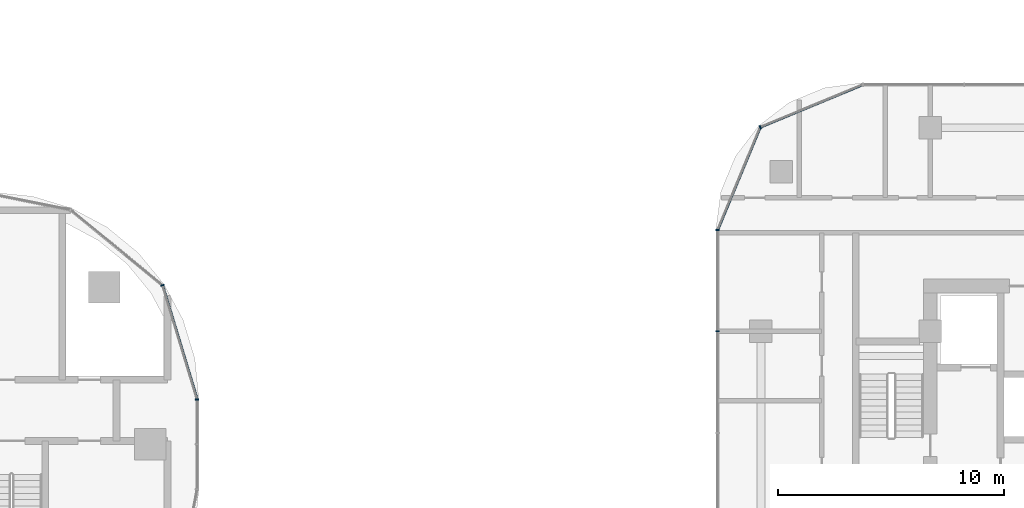
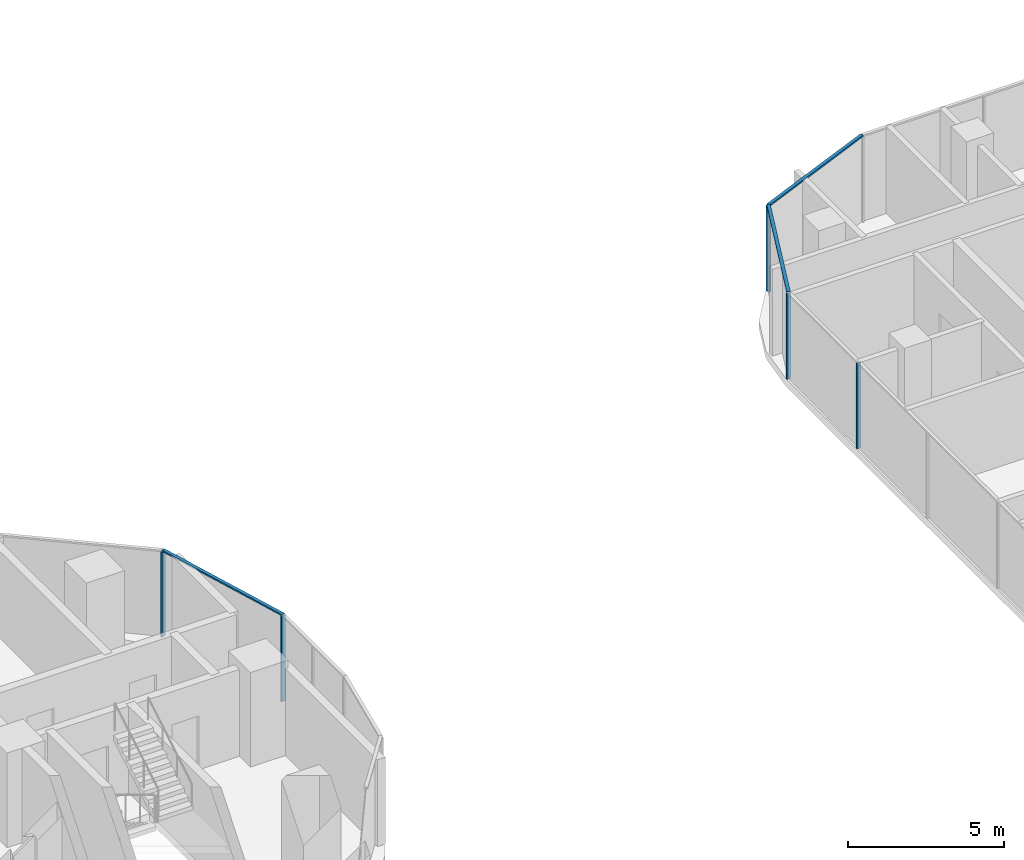
# One storey, part 9 of 32: 8 members, 4 elements without a shape of their own.
"""IFC4 building model written with IfcOpenShell, lengths in metres."""

from ifc_helpers import new_model, si_unit, direction, frame, origin, origin_2d, place, context, subcontext, project, spatial, rectangle, extrude, material, material_profile, profile_set, type_object, element, aggregate, save


model = new_model("IFC4")

# Units and contexts
model_context = context("Model", 3, precision=1e-05, world=origin(), true_north=direction((0.0, 1.0)))
body_context = subcontext(model_context, "Body", "Model", "MODEL_VIEW")
ifc_project = project(units=[si_unit("LENGTHUNIT", "METRE"), si_unit("AREAUNIT", "SQUARE_METRE"), si_unit("VOLUMEUNIT", "CUBIC_METRE"), si_unit("PLANEANGLEUNIT", "RADIAN"), si_unit("MASSUNIT", "GRAM", prefix="KILO")], contexts=[model_context])

# Site, building, storey
site_placement = place(None, origin())
site = spatial("IfcSite", under=ifc_project, at=site_placement, CompositionType="ELEMENT")
building_placement = place(site_placement, origin())
building = spatial("IfcBuilding", under=site, at=building_placement, Name="Ogive Portal Towers", CompositionType="ELEMENT")
storey_placement = place(building_placement, frame((0.0, 0.0, 55.699951171875)))
storey = spatial("IfcBuildingStorey", under=building, at=storey_placement, Name="L12", CompositionType="ELEMENT", Elevation=55.699951171875)

# Curtain wall, member
ifc_material_1 = material(Name="Glass, clear low-iron insulated glazing", Category="glass")
curtain_wall_type_1 = type_object("IfcCurtainWallType", Name="CW FRONT RIBBON 4500", PredefinedType="NOTDEFINED", material=ifc_material_1)
curtain_wall_1_placement = place(storey_placement, origin())
curtain_wall_1 = element("IfcCurtainWall", 1, at=curtain_wall_1_placement, inside=storey, type_object=curtain_wall_type_1, Name="A:L12:f12:cw0", PredefinedType="NOTDEFINED")
ifc_material_2 = material(Name="Aluminium 6063 anodised", Category="aluminium")
ifc_material_profile_1 = material_profile(ifc_material_2, rectangle(XDim=0.159912109375, YDim=0.06005859375, at=origin_2d()), Name="AL 60x160")
ifc_profile_set_1 = profile_set([ifc_material_profile_1], Name="Aluminium 6063 anodised")
member_type_1 = type_object("IfcMemberType", Name="CW MULLION 60x160", PredefinedType="MULLION", material=ifc_profile_set_1)
member_1_placement = place(storey_placement, frame((96.56494140625, 32.488037109375, 0.0), z_axis=(0.0, 0.0, 1.0), x_axis=(-1.0, 0.0, 0.0)))
member_1 = element("IfcMember", 2, at=member_1_placement, type_object=member_type_1, Name="mullion", PredefinedType="MULLION", context=body_context, shape_type="SweptSolid", body=[
    extrude(rectangle(XDim=0.159912109375, YDim=0.06005859375, at=origin_2d()), origin(), (0.0, 0.0, 1.0), 3.340087890625),
])
aggregate(curtain_wall_1, [member_1])

curtain_wall_2_placement = place(storey_placement, origin())
curtain_wall_2 = element("IfcCurtainWall", 3, at=curtain_wall_2_placement, inside=storey, type_object=curtain_wall_type_1, Name="A:L12:f13:cwa", PredefinedType="NOTDEFINED")
member_2_placement = place(storey_placement, frame((95.0341796875, 37.5341796875, 0.0), z_axis=(0.0, 0.0, 1.0), x_axis=(-0.956940335732, -0.290284677254, 0.0)))
member_2 = element("IfcMember", 4, at=member_2_placement, type_object=member_type_1, Name="mullion", PredefinedType="MULLION", context=body_context, shape_type="SweptSolid", body=[
    extrude(rectangle(XDim=0.159912109375, YDim=0.06005859375, at=origin_2d()), origin(), (0.0, 0.0, 1.0), 3.340087890625),
])

# Curtain wall, members
curtain_wall_type_2 = type_object("IfcCurtainWallType", Name="CW RESIDENCES RIBBON", PredefinedType="NOTDEFINED", material=ifc_material_1)
curtain_wall_3_placement = place(storey_placement, origin())
curtain_wall_3 = element("IfcCurtainWall", 5, at=curtain_wall_3_placement, inside=storey, type_object=curtain_wall_type_2, Name="B:L12:f11:cw0", PredefinedType="NOTDEFINED")
member_3_placement = place(storey_placement, frame((119.590087890625, 39.984130859375, 0.0), z_axis=(0.0, 0.0, 1.0), x_axis=(1.0, 0.0, 0.0)))
member_3 = element("IfcMember", 6, at=member_3_placement, type_object=member_type_1, Name="mullion", PredefinedType="MULLION", context=body_context, shape_type="SweptSolid", body=[
    extrude(rectangle(XDim=0.159912109375, YDim=0.06005859375, at=origin_2d()), origin(), (0.0, 0.0, 1.0), 3.340087890625),
])
member_4_placement = place(storey_placement, frame((119.590087890625, 35.5, 0.0), z_axis=(0.0, 0.0, 1.0), x_axis=(1.0, 0.0, 0.0)))
member_4 = element("IfcMember", 7, at=member_4_placement, type_object=member_type_1, Name="mullion", PredefinedType="MULLION", context=body_context, shape_type="SweptSolid", body=[
    extrude(rectangle(XDim=0.159912109375, YDim=0.06005859375, at=origin_2d()), origin(), (0.0, 0.0, 1.0), 3.340087890625),
])
aggregate(curtain_wall_3, [member_3, member_4])

# Curtain wall, member
curtain_wall_4_placement = place(storey_placement, origin())
curtain_wall_4 = element("IfcCurtainWall", 8, at=curtain_wall_4_placement, inside=storey, type_object=curtain_wall_type_2, Name="B:L12:f09:cwa", PredefinedType="NOTDEFINED")
member_5_placement = place(storey_placement, frame((121.47216796875, 44.52783203125, 0.0), z_axis=(0.0, 0.0, 1.0), x_axis=(0.382683432365, -0.923879532511, 0.0)))
member_5 = element("IfcMember", 9, at=member_5_placement, type_object=member_type_1, Name="mullion", PredefinedType="MULLION", context=body_context, shape_type="SweptSolid", body=[
    extrude(rectangle(XDim=0.159912109375, YDim=0.06005859375, at=origin_2d()), origin(), (0.0, 0.0, 1.0), 3.340087890625),
])

# Member
ifc_material_profile_2 = material_profile(ifc_material_2, rectangle(XDim=0.1201171875, YDim=0.06005859375, at=origin_2d()), Name="AL 120x60")
ifc_profile_set_2 = profile_set([ifc_material_profile_2], Name="Aluminium 6063 anodised")
member_type_2 = type_object("IfcMemberType", Name="CW TRANSOM 60x120", PredefinedType="USERDEFINED", material=ifc_profile_set_2)
member_6_placement = place(storey_placement, frame((96.56494140625, 32.488037109375, 3.3701171875), z_axis=(-0.290290078471, 0.956938697275, 0.0), x_axis=(-0.956938697275, -0.290290078471, 0.0)))
member_6 = element("IfcMember", 10, at=member_6_placement, type_object=member_type_2, Name="transom", ObjectType="TRANSOM", PredefinedType="USERDEFINED", context=body_context, shape_type="SweptSolid", body=[
    extrude(rectangle(XDim=0.1201171875, YDim=0.06005859375, at=origin_2d()), origin(), (0.0, 0.0, 1.0), 5.273193359375),
])

aggregate(curtain_wall_2, [member_6, member_2])

member_7_placement = place(storey_placement, frame((126.015869140625, 46.409912109375, 3.3701171875), z_axis=(-0.923878279534, -0.382686457306, 0.0), x_axis=(0.382686457306, -0.923878279534, 0.0)))
member_7 = element("IfcMember", 11, at=member_7_placement, type_object=member_type_2, Name="transom", ObjectType="TRANSOM", PredefinedType="USERDEFINED", context=body_context, shape_type="SweptSolid", body=[
    extrude(rectangle(XDim=0.1201171875, YDim=0.06005859375, at=origin_2d()), origin(), (0.0, 0.0, 1.0), 4.91796875),
])

member_8_placement = place(storey_placement, frame((121.47216796875, 44.52783203125, 3.3701171875), z_axis=(-0.382686457306, -0.923878279534, 0.0), x_axis=(0.923878279534, -0.382686457306, 0.0)))
member_8 = element("IfcMember", 12, at=member_8_placement, type_object=member_type_2, Name="transom", ObjectType="TRANSOM", PredefinedType="USERDEFINED", context=body_context, shape_type="SweptSolid", body=[
    extrude(rectangle(XDim=0.1201171875, YDim=0.06005859375, at=origin_2d()), origin(), (0.0, 0.0, 1.0), 4.91796875),
])

aggregate(curtain_wall_4, [member_7, member_8, member_5])

save(model, "model.ifc")
